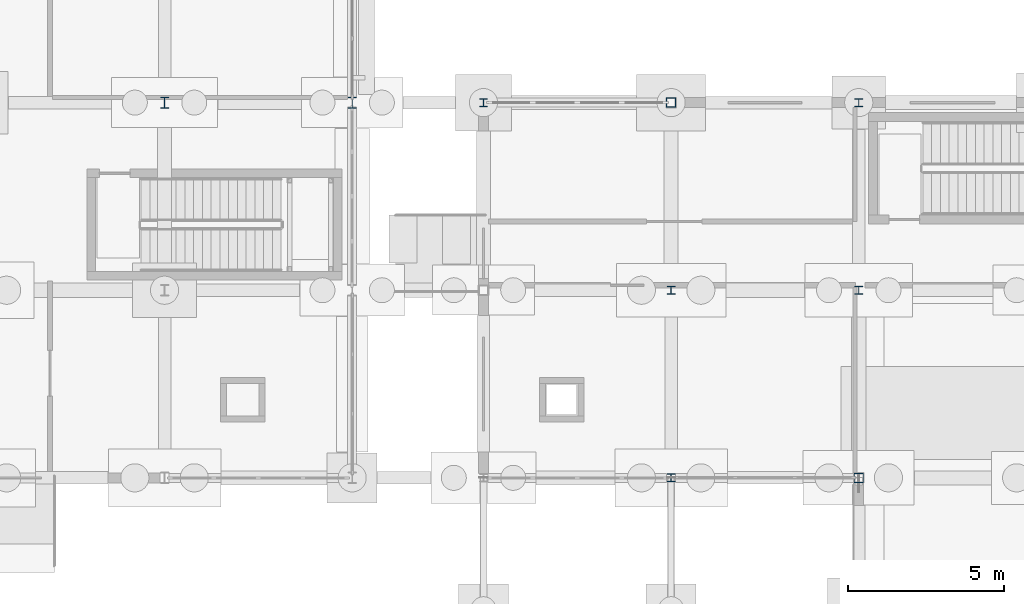
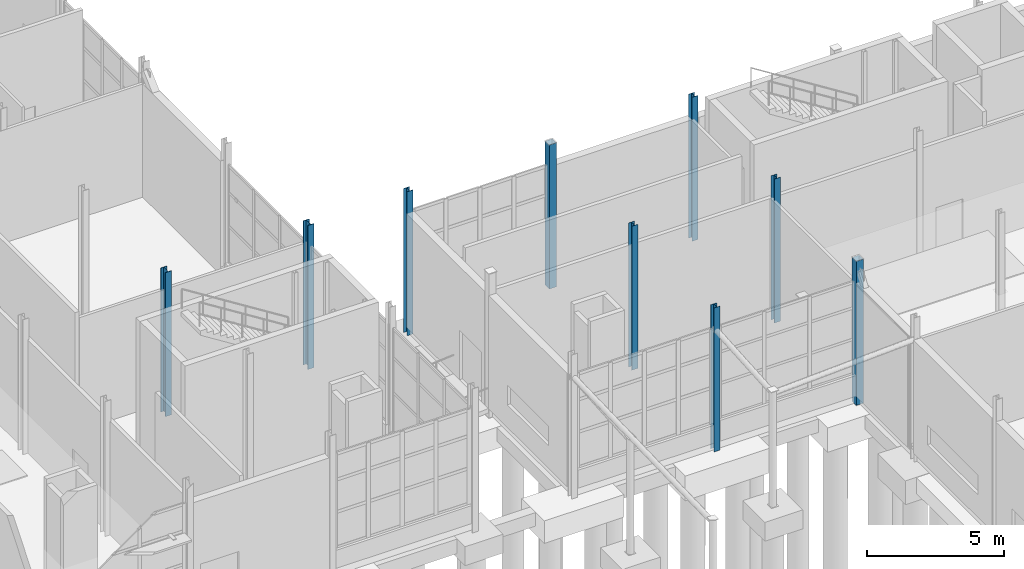
# One storey, part 18 of 120: 9 columns.
"""IFC4 building model written with IfcOpenShell, lengths in metres."""

from ifc_helpers import new_model, si_unit, direction, frame, origin, origin_2d, place, context, subcontext, project, spatial, hollow_rectangle, i_section, extrude, material, material_profile, profile_set, type_object, element, save


model = new_model("IFC4")

# Units and contexts
model_context = context("Model", 3, precision=1e-05, world=origin(), true_north=direction((0.0, 1.0)))
body_context = subcontext(model_context, "Body", "Model", "MODEL_VIEW")
ifc_project = project(units=[si_unit("LENGTHUNIT", "METRE"), si_unit("AREAUNIT", "SQUARE_METRE"), si_unit("VOLUMEUNIT", "CUBIC_METRE"), si_unit("PLANEANGLEUNIT", "RADIAN"), si_unit("MASSUNIT", "GRAM", prefix="KILO")], contexts=[model_context])

# Site, building, storey
site_placement = place(None, origin())
site = spatial("IfcSite", under=ifc_project, at=site_placement, CompositionType="ELEMENT")
building_placement = place(site_placement, origin())
building = spatial("IfcBuilding", under=site, at=building_placement, Name="Siltcreek Boulevard Central Fire Station", CompositionType="ELEMENT")
storey_placement = place(building_placement, origin())
storey = spatial("IfcBuildingStorey", under=building, at=storey_placement, Name="L01", CompositionType="ELEMENT", Elevation=0.0)

# Columns
ifc_material_1 = material(Name="Structural steel ASTM A500 GrC", Category="steel")
ifc_material_profile_1 = material_profile(ifc_material_1, hollow_rectangle(XDim=0.300048828125, YDim=0.300048828125, WallThickness=0.012451171875, at=origin_2d()), Name="HSS300X300X12.5")
ifc_profile_set_1 = profile_set([ifc_material_profile_1], Name="Structural steel ASTM A500 GrC")
column_type_1 = type_object("IfcColumnType", Name="COL_HSS300", PredefinedType="COLUMN", material=ifc_profile_set_1)
for number, where, z_axis, x_axis, name in (
    (1, (118.199951171875, 30.0, -0.409912109375), (0.0, 0.0, 1.0), (1.0, 0.0, 0.0), "L01 structural column COLG-L01-1182-300"),
    (2, (124.199951171875, 18.0, -0.409912109375), (0.0, 0.0, 1.0), (1.0, 0.0, 0.0), "L01 structural column COLG-L01-1242-180"),
):
    element("IfcColumn", number, at=place(storey_placement, frame(where, z_axis=z_axis, x_axis=x_axis)), inside=storey, type_object=column_type_1, Name=name, PredefinedType="COLUMN", context=body_context, shape_type="SweptSolid", body=[
        extrude(hollow_rectangle(XDim=0.300048828125, YDim=0.300048828125, WallThickness=0.012451171875, at=origin_2d()), origin(), (0.0, 0.0, 1.0), 6.409912109375),
    ])
ifc_material_2 = material(Name="Structural steel ASTM A992 Gr50", Category="steel")
ifc_material_profile_2 = material_profile(ifc_material_2, i_section(OverallWidth=0.25390625, OverallDepth=0.2529296875, WebThickness=0.008544921875, FlangeThickness=0.01416015625, at=origin_2d()), Name="W250X73")
ifc_profile_set_2 = profile_set([ifc_material_profile_2], Name="Structural steel ASTM A992 Gr50")
column_type_2 = type_object("IfcColumnType", Name="COL_W250X73", PredefinedType="COLUMN", material=ifc_profile_set_2)
for number, where, z_axis, x_axis, name in (
    (3, (112.199951171875, 30.0, -0.409912109375), (0.0, 0.0, 1.0), (1.0, 0.0, 0.0), "L01 structural column COLG-L01-1122-300"),
    (4, (118.199951171875, 18.0, -0.409912109375), (0.0, 0.0, 1.0), (1.0, 0.0, 0.0), "L01 structural column COLG-L01-1182-180"),
    (5, (118.199951171875, 24.0, -0.409912109375), (0.0, 0.0, 1.0), (1.0, 0.0, 0.0), "L01 structural column COLG-L01-1182-240"),
    (6, (124.199951171875, 24.0, -0.409912109375), (0.0, 0.0, 1.0), (1.0, 0.0, 0.0), "L01 structural column COLG-L01-1242-240"),
    (7, (124.199951171875, 30.0, -0.409912109375), (0.0, 0.0, 1.0), (1.0, 0.0, 0.0), "L01 structural column COLG-L01-1242-300"),
):
    element("IfcColumn", number, at=place(storey_placement, frame(where, z_axis=z_axis, x_axis=x_axis)), inside=storey, type_object=column_type_2, Name=name, PredefinedType="COLUMN", context=body_context, shape_type="SweptSolid", body=[
        extrude(i_section(OverallWidth=0.25390625, OverallDepth=0.2529296875, WebThickness=0.008544921875, FlangeThickness=0.01416015625, at=origin_2d()), origin(), (0.0, 0.0, 1.0), 6.409912109375),
    ])
ifc_material_profile_3 = material_profile(ifc_material_2, i_section(OverallWidth=0.25390625, OverallDepth=0.35302734375, WebThickness=0.009521484375, FlangeThickness=0.016357421875, at=origin_2d()), Name="W360X91")
ifc_profile_set_3 = profile_set([ifc_material_profile_3], Name="Structural steel ASTM A992 Gr50")
column_type_3 = type_object("IfcColumnType", Name="COL_W360X91", PredefinedType="COLUMN", material=ifc_profile_set_3)
for number, where, z_axis, x_axis, name in (
    (8, (102.0, 30.0, -0.409912109375), (0.0, 0.0, 1.0), (1.0, 0.0, 0.0), "L01 structural column COLG-L01-1020-300"),
    (9, (108.0, 30.0, -0.409912109375), (0.0, 0.0, 1.0), (1.0, 0.0, 0.0), "L01 structural column COLG-L01-1080-300"),
):
    element("IfcColumn", number, at=place(storey_placement, frame(where, z_axis=z_axis, x_axis=x_axis)), inside=storey, type_object=column_type_3, Name=name, PredefinedType="COLUMN", context=body_context, shape_type="SweptSolid", body=[
        extrude(i_section(OverallWidth=0.25390625, OverallDepth=0.35302734375, WebThickness=0.009521484375, FlangeThickness=0.016357421875, at=origin_2d()), origin(), (0.0, 0.0, 1.0), 6.409912109375),
    ])

save(model, "model.ifc")
